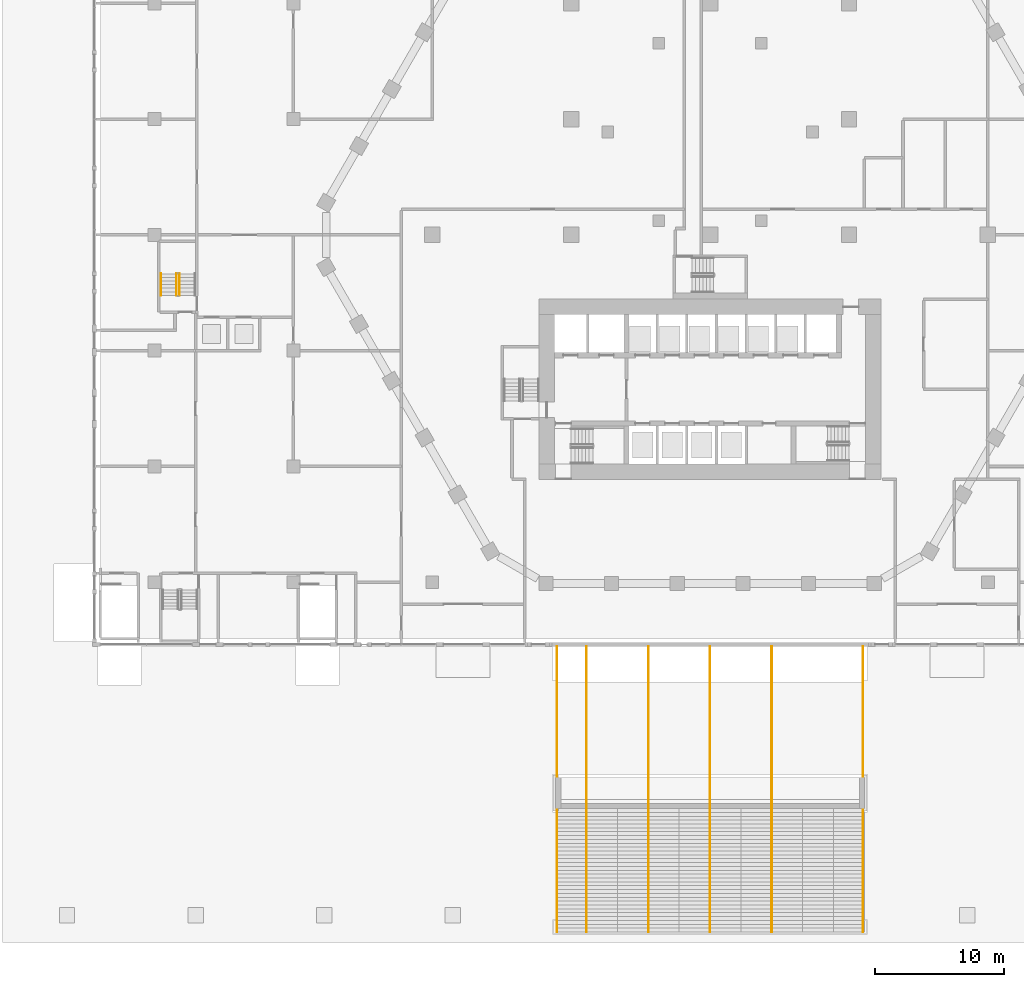
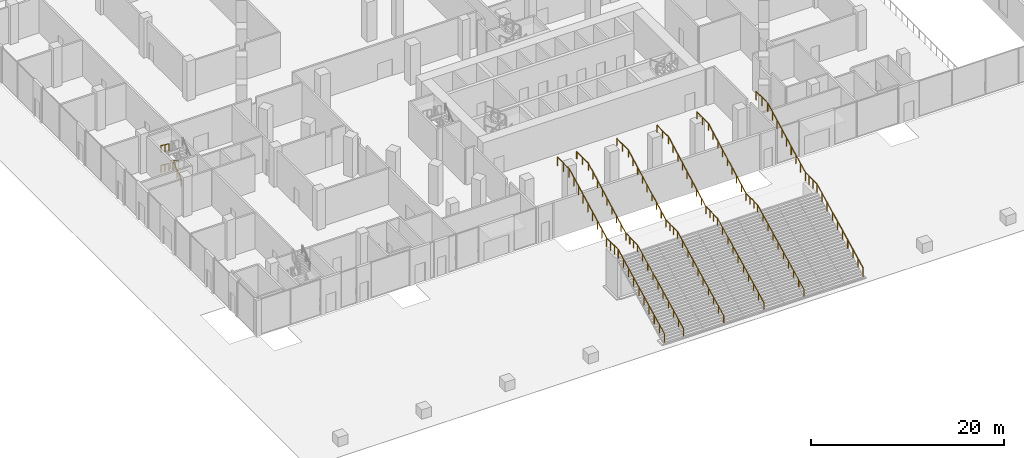
# One storey, part 49 of 57: 10 railings.
"""IFC4 building model written with IfcOpenShell, lengths in metres."""

from ifc_helpers import new_model, si_unit, direction, frame, origin, origin_2d, place, context, subcontext, project, spatial, rectangle, extrude, material, type_object, element, save


model = new_model("IFC4")

# Units and contexts
model_context = context("Model", 3, precision=1e-05, world=origin(), true_north=direction((0.0, 1.0)))
body_context = subcontext(model_context, "Body", "Model", "MODEL_VIEW")
ifc_project = project(units=[si_unit("LENGTHUNIT", "METRE"), si_unit("AREAUNIT", "SQUARE_METRE"), si_unit("VOLUMEUNIT", "CUBIC_METRE"), si_unit("PLANEANGLEUNIT", "RADIAN"), si_unit("MASSUNIT", "GRAM", prefix="KILO")], contexts=[model_context])

# Site, building, storey
site_placement = place(None, origin())
site = spatial("IfcSite", under=ifc_project, at=site_placement, CompositionType="ELEMENT")
building_placement = place(site_placement, origin())
building = spatial("IfcBuilding", under=site, at=building_placement, Name="Beryl Residences", CompositionType="ELEMENT")
storey_placement = place(building_placement, origin())
storey = spatial("IfcBuildingStorey", under=building, at=storey_placement, Name="L00", CompositionType="ELEMENT", Elevation=0.0)

# Railings
ifc_material_1 = material(Name="Stainless steel", Category="steel")
railing_type_1 = type_object("IfcRailingType", Name="EH1 handrail 900 mm", PredefinedType="HANDRAIL", material=ifc_material_1)
railing_1_placement = place(storey_placement, frame((-9.60009765625, -54.199951171875, 0.152099609375)))
element("IfcRailing", 1, at=railing_1_placement, inside=storey, type_object=railing_type_1, Name="EH1 stair handrail 1", PredefinedType="HANDRAIL", context=body_context, shape_type="SweptSolid", body=[
    extrude(rectangle(XDim=0.048095703125, YDim=0.048095703125, at=origin_2d()), frame((0.0, 0.0, 0.8759765625), z_axis=(0.0, 0.892635753744, 0.45077867201), x_axis=(-1.0, 0.0, 0.0)), (0.0, 0.0, 1.0), 10.75439453125),
    extrude(rectangle(XDim=0.048095703125, YDim=0.048095703125, at=origin_2d()), frame((0.0, 9.599853515625, 5.7236328125), z_axis=(0.0, 1.0, 0.0), x_axis=(-1.0, 0.0, 0.0)), (0.0, 0.0, 1.0), 2.400146484375),
    extrude(rectangle(XDim=0.048095703125, YDim=0.048095703125, at=origin_2d()), frame((0.0, 12.0, 5.7236328125), z_axis=(0.0, 0.882919922448, 0.469523599561), x_axis=(-1.0, 0.0, 0.0)), (0.0, 0.0, 1.0), 8.83447265625),
    extrude(rectangle(XDim=0.048095703125, YDim=0.048095703125, at=origin_2d()), frame((0.0, 19.800048828125, 9.87158203125), z_axis=(0.0, 1.0, 0.0), x_axis=(-1.0, 0.0, 0.0)), (0.0, 0.0, 1.0), 2.39990234375),
    extrude(rectangle(XDim=0.0419921875, YDim=0.0419921875, at=origin_2d()), origin(), (0.0, 0.0, 1.0), 0.851806640625),
    extrude(rectangle(XDim=0.0419921875, YDim=0.0419921875, at=origin_2d()), frame((0.0, 1.066650390625, 0.53857421875)), (0.0, 0.0, 1.0), 0.851806640625),
    extrude(rectangle(XDim=0.0419921875, YDim=0.0419921875, at=origin_2d()), frame((0.0, 2.13330078125, 1.077392578125)), (0.0, 0.0, 1.0), 0.851806640625),
    extrude(rectangle(XDim=0.0419921875, YDim=0.0419921875, at=origin_2d()), frame((0.0, 3.199951171875, 1.615966796875)), (0.0, 0.0, 1.0), 0.851806640625),
    extrude(rectangle(XDim=0.0419921875, YDim=0.0419921875, at=origin_2d()), frame((0.0, 4.2666015625, 2.154541015625)), (0.0, 0.0, 1.0), 0.851806640625),
    extrude(rectangle(XDim=0.0419921875, YDim=0.0419921875, at=origin_2d()), frame((0.0, 5.333251953125, 2.693359375)), (0.0, 0.0, 1.0), 0.851806640625),
    extrude(rectangle(XDim=0.0419921875, YDim=0.0419921875, at=origin_2d()), frame((0.0, 6.39990234375, 3.23193359375)), (0.0, 0.0, 1.0), 0.851806640625),
    extrude(rectangle(XDim=0.0419921875, YDim=0.0419921875, at=origin_2d()), frame((0.0, 7.466552734375, 3.7705078125)), (0.0, 0.0, 1.0), 0.851806640625),
    extrude(rectangle(XDim=0.0419921875, YDim=0.0419921875, at=origin_2d()), frame((0.0, 8.533203125, 4.309326171875)), (0.0, 0.0, 1.0), 0.851806640625),
    extrude(rectangle(XDim=0.0419921875, YDim=0.0419921875, at=origin_2d()), frame((0.0, 9.599853515625, 4.847900390625)), (0.0, 0.0, 1.0), 0.851806640625),
    extrude(rectangle(XDim=0.0419921875, YDim=0.0419921875, at=origin_2d()), frame((0.0, 10.39990234375, 4.847900390625)), (0.0, 0.0, 1.0), 0.851806640625),
    extrude(rectangle(XDim=0.0419921875, YDim=0.0419921875, at=origin_2d()), frame((0.0, 11.199951171875, 4.847900390625)), (0.0, 0.0, 1.0), 0.851806640625),
    extrude(rectangle(XDim=0.0419921875, YDim=0.0419921875, at=origin_2d()), frame((0.0, 12.0, 4.847900390625)), (0.0, 0.0, 1.0), 0.851806640625),
    extrude(rectangle(XDim=0.0419921875, YDim=0.0419921875, at=origin_2d()), frame((0.0, 12.97509765625, 5.366455078125)), (0.0, 0.0, 1.0), 0.851806640625),
    extrude(rectangle(XDim=0.0419921875, YDim=0.0419921875, at=origin_2d()), frame((0.0, 13.949951171875, 5.884765625)), (0.0, 0.0, 1.0), 0.851806640625),
    extrude(rectangle(XDim=0.0419921875, YDim=0.0419921875, at=origin_2d()), frame((0.0, 14.925048828125, 6.4033203125)), (0.0, 0.0, 1.0), 0.851806640625),
    extrude(rectangle(XDim=0.0419921875, YDim=0.0419921875, at=origin_2d()), frame((0.0, 15.89990234375, 6.921875)), (0.0, 0.0, 1.0), 0.851806640625),
    extrude(rectangle(XDim=0.0419921875, YDim=0.0419921875, at=origin_2d()), frame((0.0, 16.875, 7.4404296875)), (0.0, 0.0, 1.0), 0.851806640625),
    extrude(rectangle(XDim=0.0419921875, YDim=0.0419921875, at=origin_2d()), frame((0.0, 17.85009765625, 7.958984375)), (0.0, 0.0, 1.0), 0.851806640625),
    extrude(rectangle(XDim=0.0419921875, YDim=0.0419921875, at=origin_2d()), frame((0.0, 18.824951171875, 8.477294921875)), (0.0, 0.0, 1.0), 0.851806640625),
    extrude(rectangle(XDim=0.0419921875, YDim=0.0419921875, at=origin_2d()), frame((0.0, 19.800048828125, 8.995849609375)), (0.0, 0.0, 1.0), 0.851806640625),
    extrude(rectangle(XDim=0.0419921875, YDim=0.0419921875, at=origin_2d()), frame((0.0, 21.0, 8.995849609375)), (0.0, 0.0, 1.0), 0.851806640625),
    extrude(rectangle(XDim=0.0419921875, YDim=0.0419921875, at=origin_2d()), frame((0.0, 22.199951171875, 8.995849609375)), (0.0, 0.0, 1.0), 0.851806640625),
])
railing_2_placement = place(storey_placement, frame((-4.800048828125, -54.199951171875, 0.152099609375)))
element("IfcRailing", 2, at=railing_2_placement, inside=storey, type_object=railing_type_1, Name="EH1 stair handrail 2", PredefinedType="HANDRAIL", context=body_context, shape_type="SweptSolid", body=[
    extrude(rectangle(XDim=0.048095703125, YDim=0.048095703125, at=origin_2d()), frame((0.0, 0.0, 0.8759765625), z_axis=(0.0, 0.892635753744, 0.45077867201), x_axis=(-1.0, 0.0, 0.0)), (0.0, 0.0, 1.0), 10.75439453125),
    extrude(rectangle(XDim=0.048095703125, YDim=0.048095703125, at=origin_2d()), frame((0.0, 9.599853515625, 5.7236328125), z_axis=(0.0, 1.0, 0.0), x_axis=(-1.0, 0.0, 0.0)), (0.0, 0.0, 1.0), 2.400146484375),
    extrude(rectangle(XDim=0.048095703125, YDim=0.048095703125, at=origin_2d()), frame((0.0, 12.0, 5.7236328125), z_axis=(0.0, 0.882919922448, 0.469523599561), x_axis=(-1.0, 0.0, 0.0)), (0.0, 0.0, 1.0), 8.83447265625),
    extrude(rectangle(XDim=0.048095703125, YDim=0.048095703125, at=origin_2d()), frame((0.0, 19.800048828125, 9.87158203125), z_axis=(0.0, 1.0, 0.0), x_axis=(-1.0, 0.0, 0.0)), (0.0, 0.0, 1.0), 2.39990234375),
    extrude(rectangle(XDim=0.0419921875, YDim=0.0419921875, at=origin_2d()), origin(), (0.0, 0.0, 1.0), 0.851806640625),
    extrude(rectangle(XDim=0.0419921875, YDim=0.0419921875, at=origin_2d()), frame((0.0, 1.066650390625, 0.53857421875)), (0.0, 0.0, 1.0), 0.851806640625),
    extrude(rectangle(XDim=0.0419921875, YDim=0.0419921875, at=origin_2d()), frame((0.0, 2.13330078125, 1.077392578125)), (0.0, 0.0, 1.0), 0.851806640625),
    extrude(rectangle(XDim=0.0419921875, YDim=0.0419921875, at=origin_2d()), frame((0.0, 3.199951171875, 1.615966796875)), (0.0, 0.0, 1.0), 0.851806640625),
    extrude(rectangle(XDim=0.0419921875, YDim=0.0419921875, at=origin_2d()), frame((0.0, 4.2666015625, 2.154541015625)), (0.0, 0.0, 1.0), 0.851806640625),
    extrude(rectangle(XDim=0.0419921875, YDim=0.0419921875, at=origin_2d()), frame((0.0, 5.333251953125, 2.693359375)), (0.0, 0.0, 1.0), 0.851806640625),
    extrude(rectangle(XDim=0.0419921875, YDim=0.0419921875, at=origin_2d()), frame((0.0, 6.39990234375, 3.23193359375)), (0.0, 0.0, 1.0), 0.851806640625),
    extrude(rectangle(XDim=0.0419921875, YDim=0.0419921875, at=origin_2d()), frame((0.0, 7.466552734375, 3.7705078125)), (0.0, 0.0, 1.0), 0.851806640625),
    extrude(rectangle(XDim=0.0419921875, YDim=0.0419921875, at=origin_2d()), frame((0.0, 8.533203125, 4.309326171875)), (0.0, 0.0, 1.0), 0.851806640625),
    extrude(rectangle(XDim=0.0419921875, YDim=0.0419921875, at=origin_2d()), frame((0.0, 9.599853515625, 4.847900390625)), (0.0, 0.0, 1.0), 0.851806640625),
    extrude(rectangle(XDim=0.0419921875, YDim=0.0419921875, at=origin_2d()), frame((0.0, 10.39990234375, 4.847900390625)), (0.0, 0.0, 1.0), 0.851806640625),
    extrude(rectangle(XDim=0.0419921875, YDim=0.0419921875, at=origin_2d()), frame((0.0, 11.199951171875, 4.847900390625)), (0.0, 0.0, 1.0), 0.851806640625),
    extrude(rectangle(XDim=0.0419921875, YDim=0.0419921875, at=origin_2d()), frame((0.0, 12.0, 4.847900390625)), (0.0, 0.0, 1.0), 0.851806640625),
    extrude(rectangle(XDim=0.0419921875, YDim=0.0419921875, at=origin_2d()), frame((0.0, 12.97509765625, 5.366455078125)), (0.0, 0.0, 1.0), 0.851806640625),
    extrude(rectangle(XDim=0.0419921875, YDim=0.0419921875, at=origin_2d()), frame((0.0, 13.949951171875, 5.884765625)), (0.0, 0.0, 1.0), 0.851806640625),
    extrude(rectangle(XDim=0.0419921875, YDim=0.0419921875, at=origin_2d()), frame((0.0, 14.925048828125, 6.4033203125)), (0.0, 0.0, 1.0), 0.851806640625),
    extrude(rectangle(XDim=0.0419921875, YDim=0.0419921875, at=origin_2d()), frame((0.0, 15.89990234375, 6.921875)), (0.0, 0.0, 1.0), 0.851806640625),
    extrude(rectangle(XDim=0.0419921875, YDim=0.0419921875, at=origin_2d()), frame((0.0, 16.875, 7.4404296875)), (0.0, 0.0, 1.0), 0.851806640625),
    extrude(rectangle(XDim=0.0419921875, YDim=0.0419921875, at=origin_2d()), frame((0.0, 17.85009765625, 7.958984375)), (0.0, 0.0, 1.0), 0.851806640625),
    extrude(rectangle(XDim=0.0419921875, YDim=0.0419921875, at=origin_2d()), frame((0.0, 18.824951171875, 8.477294921875)), (0.0, 0.0, 1.0), 0.851806640625),
    extrude(rectangle(XDim=0.0419921875, YDim=0.0419921875, at=origin_2d()), frame((0.0, 19.800048828125, 8.995849609375)), (0.0, 0.0, 1.0), 0.851806640625),
    extrude(rectangle(XDim=0.0419921875, YDim=0.0419921875, at=origin_2d()), frame((0.0, 21.0, 8.995849609375)), (0.0, 0.0, 1.0), 0.851806640625),
    extrude(rectangle(XDim=0.0419921875, YDim=0.0419921875, at=origin_2d()), frame((0.0, 22.199951171875, 8.995849609375)), (0.0, 0.0, 1.0), 0.851806640625),
])
railing_3_placement = place(storey_placement, frame((0.0, -54.199951171875, 0.152099609375)))
element("IfcRailing", 3, at=railing_3_placement, inside=storey, type_object=railing_type_1, Name="EH1 stair handrail 3", PredefinedType="HANDRAIL", context=body_context, shape_type="SweptSolid", body=[
    extrude(rectangle(XDim=0.048095703125, YDim=0.048095703125, at=origin_2d()), frame((0.0, 0.0, 0.8759765625), z_axis=(0.0, 0.892635753744, 0.45077867201), x_axis=(-1.0, 0.0, 0.0)), (0.0, 0.0, 1.0), 10.75439453125),
    extrude(rectangle(XDim=0.048095703125, YDim=0.048095703125, at=origin_2d()), frame((0.0, 9.599853515625, 5.7236328125), z_axis=(0.0, 1.0, 0.0), x_axis=(-1.0, 0.0, 0.0)), (0.0, 0.0, 1.0), 2.400146484375),
    extrude(rectangle(XDim=0.048095703125, YDim=0.048095703125, at=origin_2d()), frame((0.0, 12.0, 5.7236328125), z_axis=(0.0, 0.882919922448, 0.469523599561), x_axis=(-1.0, 0.0, 0.0)), (0.0, 0.0, 1.0), 8.83447265625),
    extrude(rectangle(XDim=0.048095703125, YDim=0.048095703125, at=origin_2d()), frame((0.0, 19.800048828125, 9.87158203125), z_axis=(0.0, 1.0, 0.0), x_axis=(-1.0, 0.0, 0.0)), (0.0, 0.0, 1.0), 2.39990234375),
    extrude(rectangle(XDim=0.0419921875, YDim=0.0419921875, at=origin_2d()), origin(), (0.0, 0.0, 1.0), 0.851806640625),
    extrude(rectangle(XDim=0.0419921875, YDim=0.0419921875, at=origin_2d()), frame((0.0, 1.066650390625, 0.53857421875)), (0.0, 0.0, 1.0), 0.851806640625),
    extrude(rectangle(XDim=0.0419921875, YDim=0.0419921875, at=origin_2d()), frame((0.0, 2.13330078125, 1.077392578125)), (0.0, 0.0, 1.0), 0.851806640625),
    extrude(rectangle(XDim=0.0419921875, YDim=0.0419921875, at=origin_2d()), frame((0.0, 3.199951171875, 1.615966796875)), (0.0, 0.0, 1.0), 0.851806640625),
    extrude(rectangle(XDim=0.0419921875, YDim=0.0419921875, at=origin_2d()), frame((0.0, 4.2666015625, 2.154541015625)), (0.0, 0.0, 1.0), 0.851806640625),
    extrude(rectangle(XDim=0.0419921875, YDim=0.0419921875, at=origin_2d()), frame((0.0, 5.333251953125, 2.693359375)), (0.0, 0.0, 1.0), 0.851806640625),
    extrude(rectangle(XDim=0.0419921875, YDim=0.0419921875, at=origin_2d()), frame((0.0, 6.39990234375, 3.23193359375)), (0.0, 0.0, 1.0), 0.851806640625),
    extrude(rectangle(XDim=0.0419921875, YDim=0.0419921875, at=origin_2d()), frame((0.0, 7.466552734375, 3.7705078125)), (0.0, 0.0, 1.0), 0.851806640625),
    extrude(rectangle(XDim=0.0419921875, YDim=0.0419921875, at=origin_2d()), frame((0.0, 8.533203125, 4.309326171875)), (0.0, 0.0, 1.0), 0.851806640625),
    extrude(rectangle(XDim=0.0419921875, YDim=0.0419921875, at=origin_2d()), frame((0.0, 9.599853515625, 4.847900390625)), (0.0, 0.0, 1.0), 0.851806640625),
    extrude(rectangle(XDim=0.0419921875, YDim=0.0419921875, at=origin_2d()), frame((0.0, 10.39990234375, 4.847900390625)), (0.0, 0.0, 1.0), 0.851806640625),
    extrude(rectangle(XDim=0.0419921875, YDim=0.0419921875, at=origin_2d()), frame((0.0, 11.199951171875, 4.847900390625)), (0.0, 0.0, 1.0), 0.851806640625),
    extrude(rectangle(XDim=0.0419921875, YDim=0.0419921875, at=origin_2d()), frame((0.0, 12.0, 4.847900390625)), (0.0, 0.0, 1.0), 0.851806640625),
    extrude(rectangle(XDim=0.0419921875, YDim=0.0419921875, at=origin_2d()), frame((0.0, 12.97509765625, 5.366455078125)), (0.0, 0.0, 1.0), 0.851806640625),
    extrude(rectangle(XDim=0.0419921875, YDim=0.0419921875, at=origin_2d()), frame((0.0, 13.949951171875, 5.884765625)), (0.0, 0.0, 1.0), 0.851806640625),
    extrude(rectangle(XDim=0.0419921875, YDim=0.0419921875, at=origin_2d()), frame((0.0, 14.925048828125, 6.4033203125)), (0.0, 0.0, 1.0), 0.851806640625),
    extrude(rectangle(XDim=0.0419921875, YDim=0.0419921875, at=origin_2d()), frame((0.0, 15.89990234375, 6.921875)), (0.0, 0.0, 1.0), 0.851806640625),
    extrude(rectangle(XDim=0.0419921875, YDim=0.0419921875, at=origin_2d()), frame((0.0, 16.875, 7.4404296875)), (0.0, 0.0, 1.0), 0.851806640625),
    extrude(rectangle(XDim=0.0419921875, YDim=0.0419921875, at=origin_2d()), frame((0.0, 17.85009765625, 7.958984375)), (0.0, 0.0, 1.0), 0.851806640625),
    extrude(rectangle(XDim=0.0419921875, YDim=0.0419921875, at=origin_2d()), frame((0.0, 18.824951171875, 8.477294921875)), (0.0, 0.0, 1.0), 0.851806640625),
    extrude(rectangle(XDim=0.0419921875, YDim=0.0419921875, at=origin_2d()), frame((0.0, 19.800048828125, 8.995849609375)), (0.0, 0.0, 1.0), 0.851806640625),
    extrude(rectangle(XDim=0.0419921875, YDim=0.0419921875, at=origin_2d()), frame((0.0, 21.0, 8.995849609375)), (0.0, 0.0, 1.0), 0.851806640625),
    extrude(rectangle(XDim=0.0419921875, YDim=0.0419921875, at=origin_2d()), frame((0.0, 22.199951171875, 8.995849609375)), (0.0, 0.0, 1.0), 0.851806640625),
])
railing_4_placement = place(storey_placement, frame((4.800048828125, -54.199951171875, 0.152099609375)))
element("IfcRailing", 4, at=railing_4_placement, inside=storey, type_object=railing_type_1, Name="EH1 stair handrail 4", PredefinedType="HANDRAIL", context=body_context, shape_type="SweptSolid", body=[
    extrude(rectangle(XDim=0.048095703125, YDim=0.048095703125, at=origin_2d()), frame((0.0, 0.0, 0.8759765625), z_axis=(0.0, 0.892635753744, 0.45077867201), x_axis=(-1.0, 0.0, 0.0)), (0.0, 0.0, 1.0), 10.75439453125),
    extrude(rectangle(XDim=0.048095703125, YDim=0.048095703125, at=origin_2d()), frame((0.0, 9.599853515625, 5.7236328125), z_axis=(0.0, 1.0, 0.0), x_axis=(-1.0, 0.0, 0.0)), (0.0, 0.0, 1.0), 2.400146484375),
    extrude(rectangle(XDim=0.048095703125, YDim=0.048095703125, at=origin_2d()), frame((0.0, 12.0, 5.7236328125), z_axis=(0.0, 0.882919922448, 0.469523599561), x_axis=(-1.0, 0.0, 0.0)), (0.0, 0.0, 1.0), 8.83447265625),
    extrude(rectangle(XDim=0.048095703125, YDim=0.048095703125, at=origin_2d()), frame((0.0, 19.800048828125, 9.87158203125), z_axis=(0.0, 1.0, 0.0), x_axis=(-1.0, 0.0, 0.0)), (0.0, 0.0, 1.0), 2.39990234375),
    extrude(rectangle(XDim=0.0419921875, YDim=0.0419921875, at=origin_2d()), origin(), (0.0, 0.0, 1.0), 0.851806640625),
    extrude(rectangle(XDim=0.0419921875, YDim=0.0419921875, at=origin_2d()), frame((0.0, 1.066650390625, 0.53857421875)), (0.0, 0.0, 1.0), 0.851806640625),
    extrude(rectangle(XDim=0.0419921875, YDim=0.0419921875, at=origin_2d()), frame((0.0, 2.13330078125, 1.077392578125)), (0.0, 0.0, 1.0), 0.851806640625),
    extrude(rectangle(XDim=0.0419921875, YDim=0.0419921875, at=origin_2d()), frame((0.0, 3.199951171875, 1.615966796875)), (0.0, 0.0, 1.0), 0.851806640625),
    extrude(rectangle(XDim=0.0419921875, YDim=0.0419921875, at=origin_2d()), frame((0.0, 4.2666015625, 2.154541015625)), (0.0, 0.0, 1.0), 0.851806640625),
    extrude(rectangle(XDim=0.0419921875, YDim=0.0419921875, at=origin_2d()), frame((0.0, 5.333251953125, 2.693359375)), (0.0, 0.0, 1.0), 0.851806640625),
    extrude(rectangle(XDim=0.0419921875, YDim=0.0419921875, at=origin_2d()), frame((0.0, 6.39990234375, 3.23193359375)), (0.0, 0.0, 1.0), 0.851806640625),
    extrude(rectangle(XDim=0.0419921875, YDim=0.0419921875, at=origin_2d()), frame((0.0, 7.466552734375, 3.7705078125)), (0.0, 0.0, 1.0), 0.851806640625),
    extrude(rectangle(XDim=0.0419921875, YDim=0.0419921875, at=origin_2d()), frame((0.0, 8.533203125, 4.309326171875)), (0.0, 0.0, 1.0), 0.851806640625),
    extrude(rectangle(XDim=0.0419921875, YDim=0.0419921875, at=origin_2d()), frame((0.0, 9.599853515625, 4.847900390625)), (0.0, 0.0, 1.0), 0.851806640625),
    extrude(rectangle(XDim=0.0419921875, YDim=0.0419921875, at=origin_2d()), frame((0.0, 10.39990234375, 4.847900390625)), (0.0, 0.0, 1.0), 0.851806640625),
    extrude(rectangle(XDim=0.0419921875, YDim=0.0419921875, at=origin_2d()), frame((0.0, 11.199951171875, 4.847900390625)), (0.0, 0.0, 1.0), 0.851806640625),
    extrude(rectangle(XDim=0.0419921875, YDim=0.0419921875, at=origin_2d()), frame((0.0, 12.0, 4.847900390625)), (0.0, 0.0, 1.0), 0.851806640625),
    extrude(rectangle(XDim=0.0419921875, YDim=0.0419921875, at=origin_2d()), frame((0.0, 12.97509765625, 5.366455078125)), (0.0, 0.0, 1.0), 0.851806640625),
    extrude(rectangle(XDim=0.0419921875, YDim=0.0419921875, at=origin_2d()), frame((0.0, 13.949951171875, 5.884765625)), (0.0, 0.0, 1.0), 0.851806640625),
    extrude(rectangle(XDim=0.0419921875, YDim=0.0419921875, at=origin_2d()), frame((0.0, 14.925048828125, 6.4033203125)), (0.0, 0.0, 1.0), 0.851806640625),
    extrude(rectangle(XDim=0.0419921875, YDim=0.0419921875, at=origin_2d()), frame((0.0, 15.89990234375, 6.921875)), (0.0, 0.0, 1.0), 0.851806640625),
    extrude(rectangle(XDim=0.0419921875, YDim=0.0419921875, at=origin_2d()), frame((0.0, 16.875, 7.4404296875)), (0.0, 0.0, 1.0), 0.851806640625),
    extrude(rectangle(XDim=0.0419921875, YDim=0.0419921875, at=origin_2d()), frame((0.0, 17.85009765625, 7.958984375)), (0.0, 0.0, 1.0), 0.851806640625),
    extrude(rectangle(XDim=0.0419921875, YDim=0.0419921875, at=origin_2d()), frame((0.0, 18.824951171875, 8.477294921875)), (0.0, 0.0, 1.0), 0.851806640625),
    extrude(rectangle(XDim=0.0419921875, YDim=0.0419921875, at=origin_2d()), frame((0.0, 19.800048828125, 8.995849609375)), (0.0, 0.0, 1.0), 0.851806640625),
    extrude(rectangle(XDim=0.0419921875, YDim=0.0419921875, at=origin_2d()), frame((0.0, 21.0, 8.995849609375)), (0.0, 0.0, 1.0), 0.851806640625),
    extrude(rectangle(XDim=0.0419921875, YDim=0.0419921875, at=origin_2d()), frame((0.0, 22.199951171875, 8.995849609375)), (0.0, 0.0, 1.0), 0.851806640625),
])
ifc_material_2 = material(Name="Stainless steel balustrade with glass infill", Category="steel")
railing_type_2 = type_object("IfcRailingType", Name="SG1 stair guard 1100 mm", PredefinedType="GUARDRAIL", material=ifc_material_2)
railing_5_placement = place(storey_placement, frame((-41.25, -4.699951171875, 0.178466796875)))
element("IfcRailing", 5, at=railing_5_placement, inside=storey, type_object=railing_type_2, Name="L00 PS-6 stair guard 1", PredefinedType="GUARDRAIL", context=body_context, shape_type="SweptSolid", body=[
    extrude(rectangle(XDim=0.048095703125, YDim=0.048095703125, at=origin_2d()), frame((0.0, 0.0, 1.076171875), z_axis=(0.0, 0.843095963019, 0.537763142231), x_axis=(-1.0, 0.0, 0.0)), (0.0, 0.0, 1.0), 1.99267578125),
    extrude(rectangle(XDim=0.0419921875, YDim=0.0419921875, at=origin_2d()), origin(), (0.0, 0.0, 1.0), 1.052001953125),
    extrude(rectangle(XDim=0.0419921875, YDim=0.0419921875, at=origin_2d()), frame((0.0, 0.83984375, 0.53564453125)), (0.0, 0.0, 1.0), 1.052001953125),
    extrude(rectangle(XDim=0.0419921875, YDim=0.0419921875, at=origin_2d()), frame((0.0, 1.679931640625, 1.071533203125)), (0.0, 0.0, 1.0), 1.052001953125),
])
railing_6_placement = place(storey_placement, frame((-41.5, -3.02001953125, 1.428466796875)))
element("IfcRailing", 6, at=railing_6_placement, inside=storey, type_object=railing_type_2, Name="L00 PS-6 stair guard 3", PredefinedType="GUARDRAIL", context=body_context, shape_type="SweptSolid", body=[
    extrude(rectangle(XDim=0.048095703125, YDim=0.048095703125, at=origin_2d()), frame((0.0, 0.0, 1.076171875), z_axis=(0.0, -0.843095963019, 0.537763142231), x_axis=(1.0, 0.0, 0.0)), (0.0, 0.0, 1.0), 1.99267578125),
    extrude(rectangle(XDim=0.0419921875, YDim=0.0419921875, at=origin_2d()), origin(), (0.0, 0.0, 1.0), 1.052001953125),
    extrude(rectangle(XDim=0.0419921875, YDim=0.0419921875, at=origin_2d()), frame((0.0, -0.83984375, 0.53564453125)), (0.0, 0.0, 1.0), 1.052001953125),
    extrude(rectangle(XDim=0.0419921875, YDim=0.0419921875, at=origin_2d()), frame((0.0, -1.679931640625, 1.071533203125)), (0.0, 0.0, 1.0), 1.052001953125),
])
ifc_material_3 = material(Name="Stainless steel handrail", Category="steel")
railing_type_3 = type_object("IfcRailingType", Name="SRL1 stair handrail 900 mm", PredefinedType="HANDRAIL", material=ifc_material_3)
for number, where, name in (
    (7, (-42.699951171875, -3.02001953125, 1.428466796875), "L00 PS-6 stair handrail 2"),
    (8, (-42.699951171875, -3.02001953125, 3.928466796875), "L00 PS-6 stair handrail 4"),
):
    element("IfcRailing", number, at=place(storey_placement, frame(where)), inside=storey, type_object=railing_type_3, Name=name, PredefinedType="HANDRAIL", context=body_context, shape_type="SweptSolid", body=[
        extrude(rectangle(XDim=0.048095703125, YDim=0.048095703125, at=origin_2d()), frame((0.0, 0.0, 0.8759765625), z_axis=(0.0, -0.802274775538, 0.59695492672), x_axis=(1.0, 0.0, 0.0)), (0.0, 0.0, 1.0), 2.093994140625),
        extrude(rectangle(XDim=0.0419921875, YDim=0.0419921875, at=origin_2d()), origin(), (0.0, 0.0, 1.0), 0.851806640625),
        extrude(rectangle(XDim=0.0419921875, YDim=0.0419921875, at=origin_2d()), frame((0.0, -0.83984375, 0.625)), (0.0, 0.0, 1.0), 0.851806640625),
        extrude(rectangle(XDim=0.0419921875, YDim=0.0419921875, at=origin_2d()), frame((0.0, -1.679931640625, 1.25)), (0.0, 0.0, 1.0), 0.851806640625),
    ])
ifc_material_4 = material(Name="Stainless steel and clear glass", Category="steel")
railing_type_4 = type_object("IfcRailingType", Name="XG1 guard 1100 mm", PredefinedType="GUARDRAIL", material=ifc_material_4)
railing_7_placement = place(storey_placement, frame((-11.89990234375, -54.199951171875, 0.152099609375)))
element("IfcRailing", 9, at=railing_7_placement, inside=storey, type_object=railing_type_4, Name="XG1 stair guard west", PredefinedType="GUARDRAIL", context=body_context, shape_type="SweptSolid", body=[
    extrude(rectangle(XDim=0.048095703125, YDim=0.048095703125, at=origin_2d()), frame((0.0, 0.0, 1.076171875), z_axis=(0.0, 0.892635753744, 0.45077867201), x_axis=(-1.0, 0.0, 0.0)), (0.0, 0.0, 1.0), 10.75439453125),
    extrude(rectangle(XDim=0.048095703125, YDim=0.048095703125, at=origin_2d()), frame((0.0, 9.599853515625, 5.923828125), z_axis=(0.0, 1.0, 0.0), x_axis=(-1.0, 0.0, 0.0)), (0.0, 0.0, 1.0), 2.400146484375),
    extrude(rectangle(XDim=0.048095703125, YDim=0.048095703125, at=origin_2d()), frame((0.0, 12.0, 5.923828125), z_axis=(0.0, 0.887028989232, 0.461713734105), x_axis=(-1.0, 0.0, 0.0)), (0.0, 0.0, 1.0), 8.79345703125),
    extrude(rectangle(XDim=0.048095703125, YDim=0.048095703125, at=origin_2d()), frame((0.0, 19.800048828125, 9.98388671875), z_axis=(0.0, 1.0, 0.0), x_axis=(-1.0, 0.0, 0.0)), (0.0, 0.0, 1.0), 2.39990234375),
    extrude(rectangle(XDim=0.0419921875, YDim=0.0419921875, at=origin_2d()), origin(), (0.0, 0.0, 1.0), 1.052001953125),
    extrude(rectangle(XDim=0.0419921875, YDim=0.0419921875, at=origin_2d()), frame((0.0, 1.066650390625, 0.53857421875)), (0.0, 0.0, 1.0), 1.052001953125),
    extrude(rectangle(XDim=0.0419921875, YDim=0.0419921875, at=origin_2d()), frame((0.0, 2.13330078125, 1.077392578125)), (0.0, 0.0, 1.0), 1.052001953125),
    extrude(rectangle(XDim=0.0419921875, YDim=0.0419921875, at=origin_2d()), frame((0.0, 3.199951171875, 1.615966796875)), (0.0, 0.0, 1.0), 1.052001953125),
    extrude(rectangle(XDim=0.0419921875, YDim=0.0419921875, at=origin_2d()), frame((0.0, 4.2666015625, 2.154541015625)), (0.0, 0.0, 1.0), 1.052001953125),
    extrude(rectangle(XDim=0.0419921875, YDim=0.0419921875, at=origin_2d()), frame((0.0, 5.333251953125, 2.693359375)), (0.0, 0.0, 1.0), 1.052001953125),
    extrude(rectangle(XDim=0.0419921875, YDim=0.0419921875, at=origin_2d()), frame((0.0, 6.39990234375, 3.23193359375)), (0.0, 0.0, 1.0), 1.052001953125),
    extrude(rectangle(XDim=0.0419921875, YDim=0.0419921875, at=origin_2d()), frame((0.0, 7.466552734375, 3.7705078125)), (0.0, 0.0, 1.0), 1.052001953125),
    extrude(rectangle(XDim=0.0419921875, YDim=0.0419921875, at=origin_2d()), frame((0.0, 8.533203125, 4.309326171875)), (0.0, 0.0, 1.0), 1.052001953125),
    extrude(rectangle(XDim=0.0419921875, YDim=0.0419921875, at=origin_2d()), frame((0.0, 9.599853515625, 4.847900390625)), (0.0, 0.0, 1.0), 1.052001953125),
    extrude(rectangle(XDim=0.0419921875, YDim=0.0419921875, at=origin_2d()), frame((0.0, 10.39990234375, 4.847900390625)), (0.0, 0.0, 1.0), 1.052001953125),
    extrude(rectangle(XDim=0.0419921875, YDim=0.0419921875, at=origin_2d()), frame((0.0, 11.199951171875, 4.847900390625)), (0.0, 0.0, 1.0), 1.052001953125),
    extrude(rectangle(XDim=0.0419921875, YDim=0.0419921875, at=origin_2d()), frame((0.0, 12.0, 4.847900390625)), (0.0, 0.0, 1.0), 1.052001953125),
    extrude(rectangle(XDim=0.0419921875, YDim=0.0419921875, at=origin_2d()), frame((0.0, 12.97509765625, 5.35546875)), (0.0, 0.0, 1.0), 1.052001953125),
    extrude(rectangle(XDim=0.0419921875, YDim=0.0419921875, at=origin_2d()), frame((0.0, 13.949951171875, 5.86279296875)), (0.0, 0.0, 1.0), 1.052001953125),
    extrude(rectangle(XDim=0.0419921875, YDim=0.0419921875, at=origin_2d()), frame((0.0, 14.925048828125, 6.370361328125)), (0.0, 0.0, 1.0), 1.052001953125),
    extrude(rectangle(XDim=0.0419921875, YDim=0.0419921875, at=origin_2d()), frame((0.0, 15.89990234375, 6.8779296875)), (0.0, 0.0, 1.0), 1.052001953125),
    extrude(rectangle(XDim=0.0419921875, YDim=0.0419921875, at=origin_2d()), frame((0.0, 16.875, 7.385498046875)), (0.0, 0.0, 1.0), 1.052001953125),
    extrude(rectangle(XDim=0.0419921875, YDim=0.0419921875, at=origin_2d()), frame((0.0, 17.85009765625, 7.89306640625)), (0.0, 0.0, 1.0), 1.052001953125),
    extrude(rectangle(XDim=0.0419921875, YDim=0.0419921875, at=origin_2d()), frame((0.0, 18.824951171875, 8.400390625)), (0.0, 0.0, 1.0), 1.052001953125),
    extrude(rectangle(XDim=0.0419921875, YDim=0.0419921875, at=origin_2d()), frame((0.0, 19.800048828125, 8.907958984375)), (0.0, 0.0, 1.0), 1.052001953125),
    extrude(rectangle(XDim=0.0419921875, YDim=0.0419921875, at=origin_2d()), frame((0.0, 21.0, 8.907958984375)), (0.0, 0.0, 1.0), 1.052001953125),
    extrude(rectangle(XDim=0.0419921875, YDim=0.0419921875, at=origin_2d()), frame((0.0, 22.199951171875, 8.907958984375)), (0.0, 0.0, 1.0), 1.052001953125),
])
railing_8_placement = place(storey_placement, frame((11.89990234375, -54.199951171875, 0.152099609375)))
element("IfcRailing", 10, at=railing_8_placement, inside=storey, type_object=railing_type_4, Name="XG1 stair guard east", PredefinedType="GUARDRAIL", context=body_context, shape_type="SweptSolid", body=[
    extrude(rectangle(XDim=0.048095703125, YDim=0.048095703125, at=origin_2d()), frame((0.0, 0.0, 1.076171875), z_axis=(0.0, 0.892635753744, 0.45077867201), x_axis=(-1.0, 0.0, 0.0)), (0.0, 0.0, 1.0), 10.75439453125),
    extrude(rectangle(XDim=0.048095703125, YDim=0.048095703125, at=origin_2d()), frame((0.0, 9.599853515625, 5.923828125), z_axis=(0.0, 1.0, 0.0), x_axis=(-1.0, 0.0, 0.0)), (0.0, 0.0, 1.0), 2.400146484375),
    extrude(rectangle(XDim=0.048095703125, YDim=0.048095703125, at=origin_2d()), frame((0.0, 12.0, 5.923828125), z_axis=(0.0, 0.887028989232, 0.461713734105), x_axis=(-1.0, 0.0, 0.0)), (0.0, 0.0, 1.0), 8.79345703125),
    extrude(rectangle(XDim=0.048095703125, YDim=0.048095703125, at=origin_2d()), frame((0.0, 19.800048828125, 9.98388671875), z_axis=(0.0, 1.0, 0.0), x_axis=(-1.0, 0.0, 0.0)), (0.0, 0.0, 1.0), 2.39990234375),
    extrude(rectangle(XDim=0.0419921875, YDim=0.0419921875, at=origin_2d()), origin(), (0.0, 0.0, 1.0), 1.052001953125),
    extrude(rectangle(XDim=0.0419921875, YDim=0.0419921875, at=origin_2d()), frame((0.0, 1.066650390625, 0.53857421875)), (0.0, 0.0, 1.0), 1.052001953125),
    extrude(rectangle(XDim=0.0419921875, YDim=0.0419921875, at=origin_2d()), frame((0.0, 2.13330078125, 1.077392578125)), (0.0, 0.0, 1.0), 1.052001953125),
    extrude(rectangle(XDim=0.0419921875, YDim=0.0419921875, at=origin_2d()), frame((0.0, 3.199951171875, 1.615966796875)), (0.0, 0.0, 1.0), 1.052001953125),
    extrude(rectangle(XDim=0.0419921875, YDim=0.0419921875, at=origin_2d()), frame((0.0, 4.2666015625, 2.154541015625)), (0.0, 0.0, 1.0), 1.052001953125),
    extrude(rectangle(XDim=0.0419921875, YDim=0.0419921875, at=origin_2d()), frame((0.0, 5.333251953125, 2.693359375)), (0.0, 0.0, 1.0), 1.052001953125),
    extrude(rectangle(XDim=0.0419921875, YDim=0.0419921875, at=origin_2d()), frame((0.0, 6.39990234375, 3.23193359375)), (0.0, 0.0, 1.0), 1.052001953125),
    extrude(rectangle(XDim=0.0419921875, YDim=0.0419921875, at=origin_2d()), frame((0.0, 7.466552734375, 3.7705078125)), (0.0, 0.0, 1.0), 1.052001953125),
    extrude(rectangle(XDim=0.0419921875, YDim=0.0419921875, at=origin_2d()), frame((0.0, 8.533203125, 4.309326171875)), (0.0, 0.0, 1.0), 1.052001953125),
    extrude(rectangle(XDim=0.0419921875, YDim=0.0419921875, at=origin_2d()), frame((0.0, 9.599853515625, 4.847900390625)), (0.0, 0.0, 1.0), 1.052001953125),
    extrude(rectangle(XDim=0.0419921875, YDim=0.0419921875, at=origin_2d()), frame((0.0, 10.39990234375, 4.847900390625)), (0.0, 0.0, 1.0), 1.052001953125),
    extrude(rectangle(XDim=0.0419921875, YDim=0.0419921875, at=origin_2d()), frame((0.0, 11.199951171875, 4.847900390625)), (0.0, 0.0, 1.0), 1.052001953125),
    extrude(rectangle(XDim=0.0419921875, YDim=0.0419921875, at=origin_2d()), frame((0.0, 12.0, 4.847900390625)), (0.0, 0.0, 1.0), 1.052001953125),
    extrude(rectangle(XDim=0.0419921875, YDim=0.0419921875, at=origin_2d()), frame((0.0, 12.97509765625, 5.35546875)), (0.0, 0.0, 1.0), 1.052001953125),
    extrude(rectangle(XDim=0.0419921875, YDim=0.0419921875, at=origin_2d()), frame((0.0, 13.949951171875, 5.86279296875)), (0.0, 0.0, 1.0), 1.052001953125),
    extrude(rectangle(XDim=0.0419921875, YDim=0.0419921875, at=origin_2d()), frame((0.0, 14.925048828125, 6.370361328125)), (0.0, 0.0, 1.0), 1.052001953125),
    extrude(rectangle(XDim=0.0419921875, YDim=0.0419921875, at=origin_2d()), frame((0.0, 15.89990234375, 6.8779296875)), (0.0, 0.0, 1.0), 1.052001953125),
    extrude(rectangle(XDim=0.0419921875, YDim=0.0419921875, at=origin_2d()), frame((0.0, 16.875, 7.385498046875)), (0.0, 0.0, 1.0), 1.052001953125),
    extrude(rectangle(XDim=0.0419921875, YDim=0.0419921875, at=origin_2d()), frame((0.0, 17.85009765625, 7.89306640625)), (0.0, 0.0, 1.0), 1.052001953125),
    extrude(rectangle(XDim=0.0419921875, YDim=0.0419921875, at=origin_2d()), frame((0.0, 18.824951171875, 8.400390625)), (0.0, 0.0, 1.0), 1.052001953125),
    extrude(rectangle(XDim=0.0419921875, YDim=0.0419921875, at=origin_2d()), frame((0.0, 19.800048828125, 8.907958984375)), (0.0, 0.0, 1.0), 1.052001953125),
    extrude(rectangle(XDim=0.0419921875, YDim=0.0419921875, at=origin_2d()), frame((0.0, 21.0, 8.907958984375)), (0.0, 0.0, 1.0), 1.052001953125),
    extrude(rectangle(XDim=0.0419921875, YDim=0.0419921875, at=origin_2d()), frame((0.0, 22.199951171875, 8.907958984375)), (0.0, 0.0, 1.0), 1.052001953125),
])

save(model, "model.ifc")
